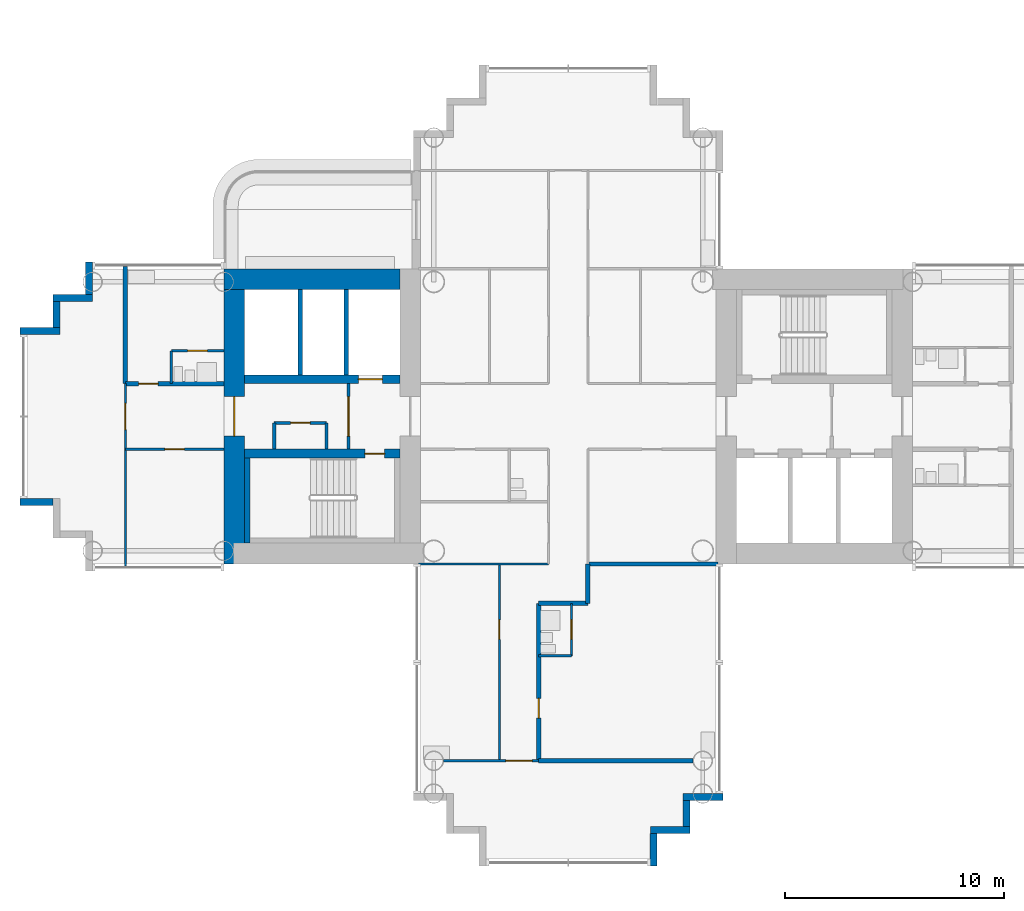
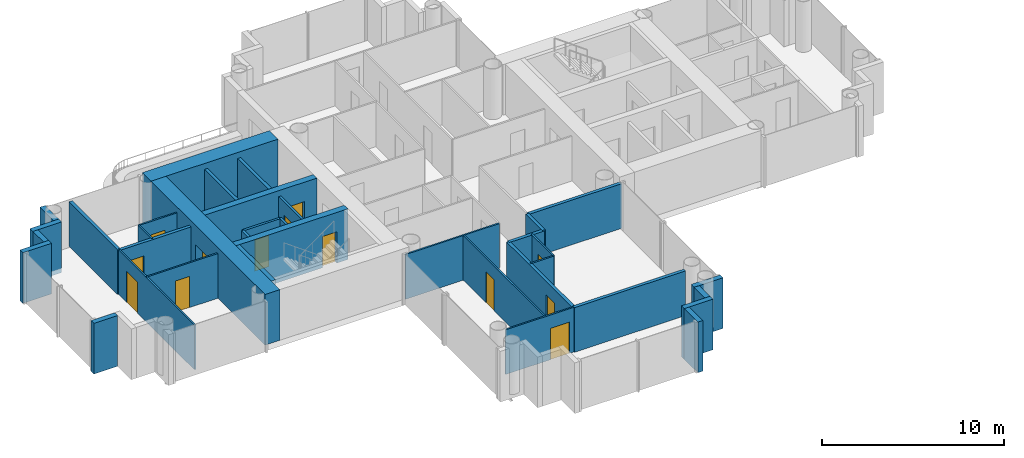
# One storey, part 9 of 21: 36 walls, 13 doors, 13 openings.
"""IFC4 building model written with IfcOpenShell, lengths in metres."""

import ifcopenshell
import ifcopenshell.guid

model = None  # the IFC model being written
_history = None  # IfcOwnerHistory: only IFC2X3 demands one
_inside = {}  # id of a spatial element -> (the spatial element, [elements in it])
_under = {}  # id of a project, library or spatial element -> (it, [spatial elements below it])
_declared = {}  # id of a project -> (the project, [libraries it declares])
_typed = {}  # id of a type object -> (the type object, [elements of that type])
_made_of = {}  # id of a material, layer set ... -> (it, [elements and type objects made of it])


def new_model(schema):
    """Start an empty IFC model of exactly this schema.

    Asked for "IFC4X3", IfcOpenShell would pick the latest addendum, in which some entities
    have other attributes; the version numbers below select the first issue.
    IFC2X3 requires an IfcOwnerHistory on every rooted entity: one is made here for all.
    """
    global model, _history
    if schema == "IFC4X3":
        model = ifcopenshell.file(schema_version=(4, 3, 0, 0))
    else:
        model = ifcopenshell.file(schema=schema)
    _inside.clear()
    _under.clear()
    _declared.clear()
    _typed.clear()
    _made_of.clear()
    _history = None
    if model.schema == "IFC2X3":
        org = make("IfcOrganization", Name="unknown")
        user = make(
            "IfcPersonAndOrganization",
            ThePerson=make("IfcPerson", FamilyName="unknown"),
            TheOrganization=org,
        )
        app = make(
            "IfcApplication",
            ApplicationDeveloper=org,
            Version="unknown",
            ApplicationFullName="unknown",
            ApplicationIdentifier="unknown",
        )
        _history = make(
            "IfcOwnerHistory",
            OwningUser=user,
            OwningApplication=app,
            ChangeAction="ADDED",
            CreationDate=0,
        )
    return model


def make(cls, **values):
    """One entity of the class cls with the attributes given. An attribute that is None is left unset."""
    return model.create_entity(
        cls, **{name: value for name, value in values.items() if value is not None}
    )


def rooted(cls, **values):
    """An entity with a GlobalId (a new one), such as an element, a storey or a relation."""
    return make(cls, GlobalId=ifcopenshell.guid.new(), OwnerHistory=_history, **values)


def si_unit(unit_type, name, prefix=None):
    """IfcSIUnit, for example si_unit("LENGTHUNIT", "METRE", prefix="MILLI")."""
    return make("IfcSIUnit", UnitType=unit_type, Prefix=prefix, Name=name)


def assignment(units):
    """IfcUnitAssignment: the units of a project."""
    return None if units is None else make("IfcUnitAssignment", Units=units)


def point(xyz):
    """IfcCartesianPoint."""
    return None if xyz is None else make("IfcCartesianPoint", Coordinates=xyz)


def direction(xyz):
    """IfcDirection."""
    return None if xyz is None else make("IfcDirection", DirectionRatios=xyz)


def frame(location, z_axis=None, x_axis=None):
    """IfcAxis2Placement3D, a coordinate frame: its origin and axes. An axis left out is left unset."""
    return make(
        "IfcAxis2Placement3D",
        Location=point(location),
        Axis=direction(z_axis),
        RefDirection=direction(x_axis),
    )


def frame_2d(location, x_axis=None):
    """IfcAxis2Placement2D, a coordinate frame in the plane: its origin and x axis."""
    return make(
        "IfcAxis2Placement2D", Location=point(location), RefDirection=direction(x_axis)
    )


def origin():
    """The frame at (0, 0, 0) with its axes left unset."""
    return frame((0.0, 0.0, 0.0))


def place(relative_to, where):
    """IfcLocalPlacement: puts the frame where relative to a parent placement (None: the world)."""
    return make(
        "IfcLocalPlacement", PlacementRelTo=relative_to, RelativePlacement=where
    )


def context(
    kind, dimensions, precision=None, world=None, true_north=None, identifier=None
):
    """IfcGeometricRepresentationContext, for example the 3D "Model" context."""
    return make(
        "IfcGeometricRepresentationContext",
        ContextIdentifier=identifier,
        ContextType=kind,
        CoordinateSpaceDimension=dimensions,
        Precision=precision,
        WorldCoordinateSystem=world,
        TrueNorth=true_north,
    )


def subcontext(parent, identifier, kind, view, scale=None):
    """IfcGeometricRepresentationSubContext, for example "Body" below "Model"."""
    return make(
        "IfcGeometricRepresentationSubContext",
        ContextIdentifier=identifier,
        ContextType=kind,
        ParentContext=parent,
        TargetScale=scale,
        TargetView=view,
    )


def project(units=None, contexts=None):
    """IfcProject with its units and contexts."""
    return rooted(
        "IfcProject",
        Name="project",
        RepresentationContexts=contexts,
        UnitsInContext=assignment(units),
    )


def spatial(cls, under=None, at=None, **own):
    """A site, building, storey or space (cls), placed at a placement, below another one or the project."""
    s = rooted(cls, ObjectPlacement=at, **own)
    if under is not None:
        _under.setdefault(under.id(), (under, []))[1].append(s)
    return s


def profile(cls, at=None, kind="AREA", **sizes):
    """A parametric profile (cls). Its sizes go by their IFC names, for example OverallWidth=200.0."""
    return make(cls, ProfileType=kind, Position=at, **sizes)


def rectangle(**sizes):
    """IfcRectangleProfileDef."""
    return profile("IfcRectangleProfileDef", **sizes)


def extrude(swept, where, along, depth):
    """IfcExtrudedAreaSolid: the profile swept, set in the frame where, extruded along a direction by depth."""
    return make(
        "IfcExtrudedAreaSolid",
        SweptArea=swept,
        Position=where,
        ExtrudedDirection=direction(along),
        Depth=depth,
    )


def shape(context_of_items, identifier, shape_type, items):
    """IfcShapeRepresentation: the items that make up one representation, for example the "Body"."""
    return make(
        "IfcShapeRepresentation",
        ContextOfItems=context_of_items,
        RepresentationIdentifier=identifier,
        RepresentationType=shape_type,
        Items=items,
    )


def material(Name=None, Category=None):
    """IfcMaterial."""
    return make("IfcMaterial", Name=Name, Category=Category)


def layer(
    of_material, thickness, ventilated=None, Name=None, Category=None, Priority=None
):
    """IfcMaterialLayer: one layer of a wall or slab, of a material (None: an air gap)."""
    return make(
        "IfcMaterialLayer",
        Material=of_material,
        LayerThickness=thickness,
        IsVentilated=ventilated,
        Name=Name,
        Category=Category,
        Priority=Priority,
    )


def layer_set(layers, Name=None):
    """IfcMaterialLayerSet."""
    return make("IfcMaterialLayerSet", MaterialLayers=layers, LayerSetName=Name)


def made_of(thing, what):
    """Note that an element or type object is made of a material, layer set ...; save() writes the relation."""
    if what is not None:
        _made_of.setdefault(what.id(), (what, []))[1].append(thing)
    return thing


def type_object(cls, material=None, **own):
    """A type object (cls), such as IfcWallType, which elements share."""
    return made_of(rooted(cls, **own), material)


def element(
    cls,
    number,
    at=None,
    inside=None,
    cuts=None,
    type_object=None,
    material=None,
    context=None,
    identifier="Body",
    shape_type=None,
    held_by="IfcProductDefinitionShape",
    body=None,
    shapes=None,
    **own,
):
    """One element of the class cls, such as IfcWall. Its Tag is "e" and its number.

    at: its placement. inside: the storey or other place that contains it. cuts: it is an
    opening in that element (IfcRelVoidsElement). A single representation is given by context,
    identifier, shape_type and body (its items); several are given by shapes. held_by: the class
    of the entity that holds the representations. save() writes the other relations.
    """
    e = rooted(cls, Tag="e%d" % number, ObjectPlacement=at, **own)
    if body is not None:
        shapes = [shape(context, identifier, shape_type, body)]
    if shapes is not None:
        e.Representation = make(held_by, Representations=shapes)
    if inside is not None:
        _inside.setdefault(inside.id(), (inside, []))[1].append(e)
    if cuts is not None:
        rooted(
            "IfcRelVoidsElement", RelatingBuildingElement=cuts, RelatedOpeningElement=e
        )
    if type_object is not None:
        _typed.setdefault(type_object.id(), (type_object, []))[1].append(e)
    return made_of(e, material)


def fill(opening, filler):
    """IfcRelFillsElement: the door or window that sits in an opening."""
    return rooted(
        "IfcRelFillsElement",
        RelatingOpeningElement=opening,
        RelatedBuildingElement=filler,
    )


def aggregate(whole, parts):
    """IfcRelAggregates: a whole, such as a stair, and the parts it consists of."""
    return rooted("IfcRelAggregates", RelatingObject=whole, RelatedObjects=parts)


def save(model, path):
    """Write the relations noted so far, then the file.

    IfcRelAggregates (storeys below a building ...), IfcRelContainedInSpatialStructure (elements
    in a storey), IfcRelDefinesByType, IfcRelAssociatesMaterial and IfcRelDeclares: one each for
    every whole, place, type object, material and project.
    """
    for whole, parts in _under.values():
        aggregate(whole, parts)
    for where, things in _inside.values():
        rooted(
            "IfcRelContainedInSpatialStructure",
            RelatedElements=things,
            RelatingStructure=where,
        )
    for kind, things in _typed.values():
        rooted("IfcRelDefinesByType", RelatedObjects=things, RelatingType=kind)
    for what, things in _made_of.values():
        rooted("IfcRelAssociatesMaterial", RelatedObjects=things, RelatingMaterial=what)
    for by, libraries in _declared.values():
        rooted("IfcRelDeclares", RelatingContext=by, RelatedDefinitions=libraries)
    model.write(path)


model = new_model("IFC4")

# Units and contexts
model_context = context("Model", 3, precision=1e-05, world=origin(), true_north=direction((0.0, 1.0)))
body_context = subcontext(model_context, "Body", "Model", "MODEL_VIEW")
ifc_project = project(units=[si_unit("LENGTHUNIT", "METRE"), si_unit("AREAUNIT", "SQUARE_METRE"), si_unit("VOLUMEUNIT", "CUBIC_METRE"), si_unit("PLANEANGLEUNIT", "RADIAN"), si_unit("MASSUNIT", "GRAM", prefix="KILO")], contexts=[model_context])

# Site, building, storey
site_placement = place(None, origin())
site = spatial("IfcSite", under=ifc_project, at=site_placement, CompositionType="ELEMENT")
building_placement = place(site_placement, origin())
building = spatial("IfcBuilding", under=site, at=building_placement, Name="Ipe Terrace Towers", CompositionType="ELEMENT")
storey_placement = place(building_placement, frame((0.0, 0.0, 117.39990234375)))
storey = spatial("IfcBuildingStorey", under=building, at=storey_placement, Name="L32", CompositionType="ELEMENT", Elevation=117.39990234375)

# Walls
ifc_material_1 = material(Name="Concrete C40/50 with buff precast cladding", Category="concrete")
ifc_layer_1 = layer(ifc_material_1, 0.320068359375)
ifc_layer_set_1 = layer_set([ifc_layer_1], Name="BUFF CLADDING WALL 320")
wall_type_1 = type_object("IfcWallType", Name="BUFF CLADDING WALL 320", PredefinedType="STANDARD", material=ifc_layer_set_1)
for number, where, z_axis, x_axis, name in (
    (1, (-61.070068359375, -3.909912109375, -0.2998046875), (0.0, 0.0, 1.0), (1.0, 0.0, 0.0), "T1-W-L32-00a wall"),
    (2, (-32.090087890625, -20.570068359375, -0.2998046875), (0.0, 0.0, 1.0), (0.0, 1.0, 0.0), "T1-W-L32-13a wall"),
):
    element("IfcWall", number, at=place(storey_placement, frame(where, z_axis=z_axis, x_axis=x_axis)), inside=storey, type_object=wall_type_1, Name=name, PredefinedType="STANDARD", context=body_context, shape_type="SweptSolid", body=[
        extrude(rectangle(XDim=1.5, YDim=0.320068359375, at=frame_2d((0.75, 0.0))), origin(), (0.0, 0.0, 1.0), 3.39990234375),
    ])
wall_1_placement = place(storey_placement, frame((-32.25, -18.909912109375, -0.2998046875), z_axis=(0.0, 0.0, 1.0), x_axis=(1.0, 0.0, 0.0)))
element("IfcWall", 3, at=wall_1_placement, inside=storey, type_object=wall_type_1, Name="T1-W-L32-14a wall", PredefinedType="STANDARD", context=body_context, shape_type="SweptSolid", body=[
    extrude(rectangle(XDim=1.820068359375, YDim=0.320068359375, at=frame_2d((0.91015625, 0.0))), origin(), (0.0, 0.0, 1.0), 3.39990234375),
])
wall_2_placement = place(storey_placement, frame((-30.590087890625, -18.75, -0.2998046875), z_axis=(0.0, 0.0, 1.0), x_axis=(0.0, 1.0, 0.0)))
element("IfcWall", 4, at=wall_2_placement, inside=storey, type_object=wall_type_1, Name="T1-W-L32-15a wall", PredefinedType="STANDARD", context=body_context, shape_type="SweptSolid", body=[
    extrude(rectangle(XDim=1.179931640625, YDim=0.320068359375, at=frame_2d((0.58984375, 0.0))), origin(), (0.0, 0.0, 1.0), 3.39990234375),
])
wall_3_placement = place(storey_placement, frame((-30.75, -17.409912109375, -0.2998046875), z_axis=(0.0, 0.0, 1.0), x_axis=(1.0, 0.0, 0.0)))
element("IfcWall", 5, at=wall_3_placement, inside=storey, type_object=wall_type_1, Name="T1-W-L32-16a wall", PredefinedType="STANDARD", context=body_context, shape_type="SweptSolid", body=[
    extrude(rectangle(XDim=1.820068359375, YDim=0.320068359375, at=frame_2d((0.91015625, 0.0))), origin(), (0.0, 0.0, 1.0), 3.39990234375),
])
wall_4_placement = place(storey_placement, frame((-57.909912109375, 7.070068359375, -0.2998046875), z_axis=(0.0, 0.0, 1.0), x_axis=(0.0, -1.0, 0.0)))
element("IfcWall", 6, at=wall_4_placement, inside=storey, type_object=wall_type_1, Name="T1-W-L32-47a wall", PredefinedType="STANDARD", context=body_context, shape_type="SweptSolid", body=[
    extrude(rectangle(XDim=1.5, YDim=0.320068359375, at=frame_2d((0.75, 0.0))), origin(), (0.0, 0.0, 1.0), 3.39990234375),
])
wall_5_placement = place(storey_placement, frame((-57.75, 5.409912109375, -0.2998046875), z_axis=(0.0, 0.0, 1.0), x_axis=(-1.0, 0.0, 0.0)))
element("IfcWall", 7, at=wall_5_placement, inside=storey, type_object=wall_type_1, Name="T1-W-L32-48a wall", PredefinedType="STANDARD", context=body_context, shape_type="SweptSolid", body=[
    extrude(rectangle(XDim=1.820068359375, YDim=0.320068359375, at=frame_2d((0.91015625, 0.0))), origin(), (0.0, 0.0, 1.0), 3.39990234375),
])
wall_6_placement = place(storey_placement, frame((-59.409912109375, 5.25, -0.2998046875), z_axis=(0.0, 0.0, 1.0), x_axis=(0.0, -1.0, 0.0)))
element("IfcWall", 8, at=wall_6_placement, inside=storey, type_object=wall_type_1, Name="T1-W-L32-49a wall", PredefinedType="STANDARD", context=body_context, shape_type="SweptSolid", body=[
    extrude(rectangle(XDim=1.179931640625, YDim=0.320068359375, at=frame_2d((0.58984375, 0.0))), origin(), (0.0, 0.0, 1.0), 3.39990234375),
])
wall_7_placement = place(storey_placement, frame((-59.25, 3.909912109375, -0.2998046875), z_axis=(0.0, 0.0, 1.0), x_axis=(-1.0, 0.0, 0.0)))
element("IfcWall", 9, at=wall_7_placement, inside=storey, type_object=wall_type_1, Name="T1-W-L32-50a wall", PredefinedType="STANDARD", context=body_context, shape_type="SweptSolid", body=[
    extrude(rectangle(XDim=1.820068359375, YDim=0.320068359375, at=frame_2d((0.91015625, 0.0))), origin(), (0.0, 0.0, 1.0), 3.39990234375),
])

# Wall, opening, door
ifc_material_2 = material(Name="Gypsum board partition", Category="plasterboard")
ifc_layer_2 = layer(ifc_material_2, 0.10009765625)
ifc_layer_set_2 = layer_set([ifc_layer_2], Name="Gypsum board partition 100 mm")
wall_type_2 = type_object("IfcWallType", Name="Gypsum board partition 100 mm", PredefinedType="PARTITIONING", material=ifc_layer_set_2)
wall_8_placement = place(storey_placement, frame((-56.25, -6.85009765625, 0.0), z_axis=(0.0, 0.0, 1.0), x_axis=(0.0, 1.0, 0.0)))
wall_8 = element("IfcWall", 10, at=wall_8_placement, inside=storey, type_object=wall_type_2, Name="Gypsum board partition T1 L32 W01", PredefinedType="PARTITIONING", context=body_context, shape_type="SweptSolid", body=[
    extrude(rectangle(XDim=8.35009765625, YDim=0.10009765625, at=frame_2d((4.175048828125, 0.0))), origin(), (0.0, 0.0, 1.0), 3.0),
])
opening_1_placement = place(wall_8_placement, frame((6.25, 0.0, 0.0)))
opening_1 = element("IfcOpeningElement", 11, at=opening_1_placement, cuts=wall_8, Name="Opening T1-Z2A-26", PredefinedType="OPENING", context=body_context, shape_type="SweptSolid", body=[
    extrude(rectangle(XDim=1.199951171875, YDim=2.10009765625, at=frame_2d((0.60009765625, 1.050048828125))), frame((0.0, 0.06005859375, 0.0), z_axis=(0.0, -1.0, 0.0), x_axis=(1.0, 0.0, 0.0)), (0.0, 0.0, 1.0), 0.1201171875),
])
ifc_material_3 = material(Name="Timber door leaf", Category="wood")
door_type_1 = type_object("IfcDoorType", Name="Lounge door 1200 x 2100", OperationType="NOTDEFINED", PredefinedType="DOOR", material=ifc_material_3)
door_1_placement = place(opening_1_placement, origin())
door_1 = element("IfcDoor", 12, at=door_1_placement, inside=storey, type_object=door_type_1, Name="Lounge door T1-Z2A-26", OperationType="SINGLE_SWING_LEFT", OverallHeight=2.10009765625, OverallWidth=1.199951171875, PredefinedType="DOOR", context=body_context, shape_type="SweptSolid", body=[
    extrude(rectangle(XDim=1.199951171875, YDim=2.10009765625, at=frame_2d((0.60009765625, 1.050048828125))), frame((0.0, 0.02490234375, 0.0), z_axis=(0.0, -1.0, 0.0), x_axis=(1.0, 0.0, 0.0)), (0.0, 0.0, 1.0), 0.050048828125),
])
fill(opening_1, door_1)

# Wall
wall_9_placement = place(storey_placement, frame((-54.14990234375, 1.5, 0.0), z_axis=(0.0, 0.0, 1.0), x_axis=(0.0, 1.0, 0.0)))
element("IfcWall", 13, at=wall_9_placement, inside=storey, type_object=wall_type_2, Name="Gypsum board partition T1 L32 W03", PredefinedType="PARTITIONING", context=body_context, shape_type="SweptSolid", body=[
    extrude(rectangle(XDim=1.5, YDim=0.10009765625, at=frame_2d((0.75, 0.0))), origin(), (0.0, 0.0, 1.0), 3.0),
])

# Wall, opening, door
wall_10_placement = place(storey_placement, frame((-39.14990234375, -15.75, 0.0), z_axis=(0.0, 0.0, 1.0), x_axis=(0.0, 1.0, 0.0)))
wall_10 = element("IfcWall", 14, at=wall_10_placement, inside=storey, type_object=wall_type_2, Name="Gypsum board partition T1 L32 W05", PredefinedType="PARTITIONING", context=body_context, shape_type="SweptSolid", body=[
    extrude(rectangle(XDim=9.0, YDim=0.10009765625, at=frame_2d((4.5, 0.0))), origin(), (0.0, 0.0, 1.0), 3.0),
])
opening_2_placement = place(wall_10_placement, frame((5.550048828125, 0.0, 0.0)))
opening_2 = element("IfcOpeningElement", 15, at=opening_2_placement, cuts=wall_10, Name="Opening T1-Z2A-14", PredefinedType="OPENING", context=body_context, shape_type="SweptSolid", body=[
    extrude(rectangle(XDim=0.89990234375, YDim=2.10009765625, at=frame_2d((0.449951171875, 1.050048828125))), frame((0.0, 0.06005859375, 0.0), z_axis=(0.0, -1.0, 0.0), x_axis=(1.0, 0.0, 0.0)), (0.0, 0.0, 1.0), 0.1201171875),
])
ifc_material_4 = material(Name="Timber door leaf", Category="wood")
door_type_2 = type_object("IfcDoorType", Name="Lounge door 900 x 2100", OperationType="NOTDEFINED", PredefinedType="DOOR", material=ifc_material_4)
door_2_placement = place(opening_2_placement, origin())
door_2 = element("IfcDoor", 16, at=door_2_placement, inside=storey, type_object=door_type_2, Name="Lounge door T1-Z2A-14", OperationType="SINGLE_SWING_LEFT", OverallHeight=2.10009765625, OverallWidth=0.89990234375, PredefinedType="DOOR", context=body_context, shape_type="SweptSolid", body=[
    extrude(rectangle(XDim=0.89990234375, YDim=2.10009765625, at=frame_2d((0.449951171875, 1.050048828125))), frame((0.0, 0.02490234375, 0.0), z_axis=(0.0, -1.0, 0.0), x_axis=(1.0, 0.0, 0.0)), (0.0, 0.0, 1.0), 0.050048828125),
])
fill(opening_2, door_2)

wall_11_placement = place(storey_placement, frame((-35.85009765625, -10.949951171875, 0.0), z_axis=(0.0, 0.0, 1.0), x_axis=(0.0, 1.0, 0.0)))
wall_11 = element("IfcWall", 17, at=wall_11_placement, inside=storey, type_object=wall_type_2, Name="Gypsum board partition T1 L32 W10", PredefinedType="PARTITIONING", context=body_context, shape_type="SweptSolid", body=[
    extrude(rectangle(XDim=2.39990234375, YDim=0.10009765625, at=frame_2d((1.199951171875, 0.0))), origin(), (0.0, 0.0, 1.0), 3.0),
])
opening_3_placement = place(wall_11_placement, frame((0.75, 0.0, 0.0)))
opening_3 = element("IfcOpeningElement", 18, at=opening_3_placement, cuts=wall_11, Name="Opening T1-Z2A-13", PredefinedType="OPENING", context=body_context, shape_type="SweptSolid", body=[
    extrude(rectangle(XDim=0.89990234375, YDim=2.10009765625, at=frame_2d((0.449951171875, 1.050048828125))), frame((0.0, 0.06005859375, 0.0), z_axis=(0.0, -1.0, 0.0), x_axis=(1.0, 0.0, 0.0)), (0.0, 0.0, 1.0), 0.1201171875),
])
ifc_material_5 = material(Name="Timber door leaf", Category="wood")
door_type_3 = type_object("IfcDoorType", Name="Bathroom door 900 x 2100", OperationType="NOTDEFINED", PredefinedType="DOOR", material=ifc_material_5)
door_3_placement = place(opening_3_placement, origin())
door_3 = element("IfcDoor", 19, at=door_3_placement, inside=storey, type_object=door_type_3, Name="Bathroom door T1-Z2A-13", OperationType="SINGLE_SWING_LEFT", OverallHeight=2.10009765625, OverallWidth=0.89990234375, PredefinedType="DOOR", context=body_context, shape_type="SweptSolid", body=[
    extrude(rectangle(XDim=0.89990234375, YDim=2.10009765625, at=frame_2d((0.449951171875, 1.050048828125))), frame((0.0, 0.02490234375, 0.0), z_axis=(0.0, -1.0, 0.0), x_axis=(1.0, 0.0, 0.0)), (0.0, 0.0, 1.0), 0.050048828125),
])
fill(opening_3, door_3)

wall_12_placement = place(storey_placement, frame((-41.699951171875, -15.75, 0.0), z_axis=(0.0, 0.0, 1.0), x_axis=(1.0, 0.0, 0.0)))
wall_12 = element("IfcWall", 20, at=wall_12_placement, inside=storey, type_object=wall_type_2, Name="Gypsum board partition T1 L32 W20", PredefinedType="PARTITIONING", context=body_context, shape_type="SweptSolid", body=[
    extrude(rectangle(XDim=4.349853515625, YDim=0.10009765625, at=frame_2d((2.1748046875, 0.0))), origin(), (0.0, 0.0, 1.0), 3.0),
])
opening_4_placement = place(wall_12_placement, frame((2.85009765625, 0.0, 0.0)))
opening_4 = element("IfcOpeningElement", 21, at=opening_4_placement, cuts=wall_12, Name="Opening T1-Z2A-15", PredefinedType="OPENING", context=body_context, shape_type="SweptSolid", body=[
    extrude(rectangle(XDim=1.199951171875, YDim=2.10009765625, at=frame_2d((0.60009765625, 1.050048828125))), frame((0.0, 0.06005859375, 0.0), z_axis=(0.0, -1.0, 0.0), x_axis=(1.0, 0.0, 0.0)), (0.0, 0.0, 1.0), 0.1201171875),
])
door_4_placement = place(opening_4_placement, origin())
door_4 = element("IfcDoor", 22, at=door_4_placement, inside=storey, type_object=door_type_1, Name="Lounge door T1-Z2A-15", OperationType="SINGLE_SWING_RIGHT", OverallHeight=2.10009765625, OverallWidth=1.199951171875, PredefinedType="DOOR", context=body_context, shape_type="SweptSolid", body=[
    extrude(rectangle(XDim=1.199951171875, YDim=2.10009765625, at=frame_2d((0.60009765625, 1.050048828125))), frame((0.0, 0.02490234375, 0.0), z_axis=(0.0, -1.0, 0.0), x_axis=(1.0, 0.0, 0.0)), (0.0, 0.0, 1.0), 0.050048828125),
])
fill(opening_4, door_4)

# Walls
wall_13_placement = place(storey_placement, frame((-37.35009765625, -10.949951171875, 0.0), z_axis=(0.0, 0.0, 1.0), x_axis=(1.0, 0.0, 0.0)))
element("IfcWall", 23, at=wall_13_placement, inside=storey, type_object=wall_type_2, Name="Gypsum board partition T1 L32 W22", PredefinedType="PARTITIONING", context=body_context, shape_type="SweptSolid", body=[
    extrude(rectangle(XDim=1.5, YDim=0.10009765625, at=frame_2d((0.75, 0.0))), origin(), (0.0, 0.0, 1.0), 3.0),
])
wall_14_placement = place(storey_placement, frame((-42.85009765625, -6.75, 0.0), z_axis=(0.0, 0.0, 1.0), x_axis=(1.0, 0.0, 0.0)))
element("IfcWall", 24, at=wall_14_placement, inside=storey, type_object=wall_type_2, Name="Gypsum board partition T1 L32 W24", PredefinedType="PARTITIONING", context=body_context, shape_type="SweptSolid", body=[
    extrude(rectangle(XDim=5.9501953125, YDim=0.10009765625, at=frame_2d((2.97509765625, 0.0))), origin(), (0.0, 0.0, 1.0), 3.0),
])

# Wall, opening, door
wall_15_placement = place(storey_placement, frame((-56.25, -1.5, 0.0), z_axis=(0.0, 0.0, 1.0), x_axis=(1.0, 0.0, 0.0)))
wall_15 = element("IfcWall", 25, at=wall_15_placement, inside=storey, type_object=wall_type_2, Name="Gypsum board partition T1 L32 W28", PredefinedType="PARTITIONING", context=body_context, shape_type="SweptSolid", body=[
    extrude(rectangle(XDim=4.5, YDim=0.10009765625, at=frame_2d((2.25, 0.0))), origin(), (0.0, 0.0, 1.0), 3.0),
])
opening_5_placement = place(wall_15_placement, frame((1.800048828125, 0.0, 0.0)))
opening_5 = element("IfcOpeningElement", 26, at=opening_5_placement, cuts=wall_15, Name="Opening T1-Z2A-23", PredefinedType="OPENING", context=body_context, shape_type="SweptSolid", body=[
    extrude(rectangle(XDim=0.89990234375, YDim=2.10009765625, at=frame_2d((0.449951171875, 1.050048828125))), frame((0.0, 0.06005859375, 0.0), z_axis=(0.0, -1.0, 0.0), x_axis=(1.0, 0.0, 0.0)), (0.0, 0.0, 1.0), 0.1201171875),
])
door_5_placement = place(opening_5_placement, origin())
door_5 = element("IfcDoor", 27, at=door_5_placement, inside=storey, type_object=door_type_2, Name="Lounge door T1-Z2A-23", OperationType="SINGLE_SWING_RIGHT", OverallHeight=2.10009765625, OverallWidth=0.89990234375, PredefinedType="DOOR", context=body_context, shape_type="SweptSolid", body=[
    extrude(rectangle(XDim=0.89990234375, YDim=2.10009765625, at=frame_2d((0.449951171875, 1.050048828125))), frame((0.0, 0.02490234375, 0.0), z_axis=(0.0, -1.0, 0.0), x_axis=(1.0, 0.0, 0.0)), (0.0, 0.0, 1.0), 0.050048828125),
])
fill(opening_5, door_5)

wall_16_placement = place(storey_placement, frame((-54.14990234375, 3.0, 0.0), z_axis=(0.0, 0.0, 1.0), x_axis=(1.0, 0.0, 0.0)))
wall_16 = element("IfcWall", 28, at=wall_16_placement, inside=storey, type_object=wall_type_2, Name="Gypsum board partition T1 L32 W36", PredefinedType="PARTITIONING", context=body_context, shape_type="SweptSolid", body=[
    extrude(rectangle(XDim=2.39990234375, YDim=0.10009765625, at=frame_2d((1.199951171875, 0.0))), origin(), (0.0, 0.0, 1.0), 3.0),
])
opening_6_placement = place(wall_16_placement, frame((0.75, 0.0, 0.0)))
opening_6 = element("IfcOpeningElement", 29, at=opening_6_placement, cuts=wall_16, Name="Opening T1-Z2A-25", PredefinedType="OPENING", context=body_context, shape_type="SweptSolid", body=[
    extrude(rectangle(XDim=0.89990234375, YDim=2.10009765625, at=frame_2d((0.449951171875, 1.050048828125))), frame((0.0, 0.06005859375, 0.0), z_axis=(0.0, -1.0, 0.0), x_axis=(1.0, 0.0, 0.0)), (0.0, 0.0, 1.0), 0.1201171875),
])
door_6_placement = place(opening_6_placement, origin())
door_6 = element("IfcDoor", 30, at=door_6_placement, inside=storey, type_object=door_type_3, Name="Bathroom door T1-Z2A-25", OperationType="SINGLE_SWING_RIGHT", OverallHeight=2.10009765625, OverallWidth=0.89990234375, PredefinedType="DOOR", context=body_context, shape_type="SweptSolid", body=[
    extrude(rectangle(XDim=0.89990234375, YDim=2.10009765625, at=frame_2d((0.449951171875, 1.050048828125))), frame((0.0, 0.02490234375, 0.0), z_axis=(0.0, -1.0, 0.0), x_axis=(1.0, 0.0, 0.0)), (0.0, 0.0, 1.0), 0.050048828125),
])
fill(opening_6, door_6)

ifc_material_6 = material(Name="Gypsum board partition", Category="plasterboard")
ifc_layer_3 = layer(ifc_material_6, 0.14990234375)
ifc_layer_set_3 = layer_set([ifc_layer_3], Name="Gypsum board partition 150 mm")
wall_type_3 = type_object("IfcWallType", Name="Gypsum board partition 150 mm", PredefinedType="PARTITIONING", material=ifc_layer_set_3)
wall_17_placement = place(storey_placement, frame((-46.050048828125, 1.5, 0.0), z_axis=(0.0, 0.0, 1.0), x_axis=(0.0, -1.0, 0.0)))
wall_17 = element("IfcWall", 31, at=wall_17_placement, inside=storey, type_object=wall_type_3, Name="Gypsum board partition T1 L32 t1c2-lobby-wall", PredefinedType="PARTITIONING", context=body_context, shape_type="SweptSolid", body=[
    extrude(rectangle(XDim=3.0, YDim=0.14990234375, at=frame_2d((1.5, 0.0))), origin(), (0.0, 0.0, 1.0), 3.0),
])
opening_7_placement = place(wall_17_placement, frame((0.60009765625, 0.0, 0.0)))
opening_7 = element("IfcOpeningElement", 32, at=opening_7_placement, cuts=wall_17, Name="Opening T1C2-VD", PredefinedType="OPENING", context=body_context, shape_type="SweptSolid", body=[
    extrude(rectangle(XDim=1.800048828125, YDim=2.10009765625, at=frame_2d((0.89990234375, 1.050048828125))), frame((0.0, 0.0849609375, 0.0), z_axis=(0.0, -1.0, 0.0), x_axis=(1.0, 0.0, 0.0)), (0.0, 0.0, 1.0), 0.169921875),
])
ifc_material_7 = material(Name="Fire-rated timber door leaf", Category="wood")
door_type_4 = type_object("IfcDoorType", Name="Lobby door 1800 x 2100 FD60", OperationType="NOTDEFINED", PredefinedType="DOOR", material=ifc_material_7)
door_7_placement = place(opening_7_placement, origin())
door_7 = element("IfcDoor", 33, at=door_7_placement, inside=storey, type_object=door_type_4, Name="Lobby door T1C2-VD", OperationType="SINGLE_SWING_LEFT", OverallHeight=2.10009765625, OverallWidth=1.800048828125, PredefinedType="DOOR", context=body_context, shape_type="SweptSolid", body=[
    extrude(rectangle(XDim=1.800048828125, YDim=2.10009765625, at=frame_2d((0.89990234375, 1.050048828125))), frame((0.0, 0.02490234375, 0.0), z_axis=(0.0, -1.0, 0.0), x_axis=(1.0, 0.0, 0.0)), (0.0, 0.0, 1.0), 0.050048828125),
])
fill(opening_7, door_7)

wall_18_placement = place(storey_placement, frame((-47.050048828125, -0.300048828125, 0.0), z_axis=(0.0, 0.0, 1.0), x_axis=(-1.0, 0.0, 0.0)))
wall_18 = element("IfcWall", 34, at=wall_18_placement, inside=storey, type_object=wall_type_3, Name="Gypsum board partition T1 L32 t1c2-cup-n-f", PredefinedType="PARTITIONING", context=body_context, shape_type="SweptSolid", body=[
    extrude(rectangle(XDim=2.39990234375, YDim=0.14990234375, at=frame_2d((1.199951171875, 0.0))), origin(), (0.0, 0.0, 1.0), 3.0),
])
opening_8_placement = place(wall_18_placement, frame((0.75, 0.0, 0.0)))
opening_8 = element("IfcOpeningElement", 35, at=opening_8_placement, cuts=wall_18, Name="Opening T1C2-SR", PredefinedType="OPENING", context=body_context, shape_type="SweptSolid", body=[
    extrude(rectangle(XDim=0.89990234375, YDim=2.10009765625, at=frame_2d((0.449951171875, 1.050048828125))), frame((0.0, 0.0849609375, 0.0), z_axis=(0.0, -1.0, 0.0), x_axis=(1.0, 0.0, 0.0)), (0.0, 0.0, 1.0), 0.169921875),
])
ifc_material_8 = material(Name="Fire-rated timber door leaf", Category="wood")
door_type_5 = type_object("IfcDoorType", Name="Service door 900 x 2100 FD60", OperationType="NOTDEFINED", PredefinedType="DOOR", material=ifc_material_8)
door_8_placement = place(opening_8_placement, origin())
door_8 = element("IfcDoor", 36, at=door_8_placement, inside=storey, type_object=door_type_5, Name="Service door T1C2-SR", OperationType="SINGLE_SWING_LEFT", OverallHeight=2.10009765625, OverallWidth=0.89990234375, PredefinedType="DOOR", context=body_context, shape_type="SweptSolid", body=[
    extrude(rectangle(XDim=0.89990234375, YDim=2.10009765625, at=frame_2d((0.449951171875, 1.050048828125))), frame((0.0, 0.02490234375, 0.0), z_axis=(0.0, -1.0, 0.0), x_axis=(1.0, 0.0, 0.0)), (0.0, 0.0, 1.0), 0.050048828125),
])
fill(opening_8, door_8)

# Walls
for number, where, z_axis, x_axis, name in (
    (37, (-47.050048828125, -0.300048828125, 0.0), (0.0, 0.0, 1.0), (0.0, -1.0, 0.0), "Gypsum board partition T1 L32 t1c2-cup-n-a"),
    (38, (-49.449951171875, -0.300048828125, 0.0), (0.0, 0.0, 1.0), (0.0, -1.0, 0.0), "Gypsum board partition T1 L32 t1c2-cup-n-b"),
):
    element("IfcWall", number, at=place(storey_placement, frame(where, z_axis=z_axis, x_axis=x_axis)), inside=storey, type_object=wall_type_3, Name=name, PredefinedType="PARTITIONING", context=body_context, shape_type="SweptSolid", body=[
        extrude(rectangle(XDim=1.199951171875, YDim=0.14990234375, at=frame_2d((0.60009765625, 0.0))), origin(), (0.0, 0.0, 1.0), 3.0),
    ])
ifc_material_9 = material(Name="Gypsum board party wall", Category="plasterboard")
ifc_layer_4 = layer(ifc_material_9, 0.199951171875)
ifc_layer_set_4 = layer_set([ifc_layer_4], Name="Gypsum board party wall 200 mm")
wall_type_4 = type_object("IfcWallType", Name="Gypsum board party wall 200 mm", PredefinedType="SOLIDWALL", material=ifc_layer_set_4)
for number, where, z_axis, x_axis, name in (
    (39, (-46.14990234375, 5.800048828125, 0.0), (0.0, 0.0, 1.0), (0.0, -1.0, 0.0), "Gypsum board party wall T1 L32 t1c2-shaft-div1"),
    (40, (-48.25, 5.800048828125, 0.0), (0.0, 0.0, 1.0), (0.0, -1.0, 0.0), "Gypsum board party wall T1 L32 t1c2-shaft-div2"),
):
    element("IfcWall", number, at=place(storey_placement, frame(where, z_axis=z_axis, x_axis=x_axis)), inside=storey, type_object=wall_type_4, Name=name, PredefinedType="SOLIDWALL", context=body_context, shape_type="SweptSolid", body=[
        extrude(rectangle(XDim=3.900146484375, YDim=0.199951171875, at=frame_2d((1.9501953125, 0.0))), origin(), (0.0, 0.0, 1.0), 3.0),
    ])
wall_19_placement = place(storey_placement, frame((-56.25, 1.5, 0.0), z_axis=(0.0, 0.0, 1.0), x_axis=(0.0, 1.0, 0.0)))
element("IfcWall", 41, at=wall_19_placement, inside=storey, type_object=wall_type_4, Name="Gypsum board party wall T1 L32 W02", PredefinedType="SOLIDWALL", context=body_context, shape_type="SweptSolid", body=[
    extrude(rectangle(XDim=5.35009765625, YDim=0.199951171875, at=frame_2d((2.675048828125, 0.0))), origin(), (0.0, 0.0, 1.0), 3.0),
])

# Wall, opening, door
wall_20_placement = place(storey_placement, frame((-37.35009765625, -15.75, 0.0), z_axis=(0.0, 0.0, 1.0), x_axis=(0.0, 1.0, 0.0)))
wall_20 = element("IfcWall", 42, at=wall_20_placement, inside=storey, type_object=wall_type_4, Name="Gypsum board party wall T1 L32 W07", PredefinedType="SOLIDWALL", context=body_context, shape_type="SweptSolid", body=[
    extrude(rectangle(XDim=7.199951171875, YDim=0.199951171875, at=frame_2d((3.60009765625, 0.0))), origin(), (0.0, 0.0, 1.0), 3.0),
])
opening_9_placement = place(wall_20_placement, frame((1.949951171875, 0.0, 0.0)))
opening_9 = element("IfcOpeningElement", 43, at=opening_9_placement, cuts=wall_20, Name="Opening T1-Z2A-12", PredefinedType="OPENING", context=body_context, shape_type="SweptSolid", body=[
    extrude(rectangle(XDim=0.89990234375, YDim=2.10009765625, at=frame_2d((0.449951171875, 1.050048828125))), frame((0.0, 0.10986328125, 0.0), z_axis=(0.0, -1.0, 0.0), x_axis=(1.0, 0.0, 0.0)), (0.0, 0.0, 1.0), 0.219970703125),
])
ifc_material_10 = material(Name="Fire-rated timber door leaf", Category="wood")
door_type_6 = type_object("IfcDoorType", Name="Flat entrance door 900 x 2100 FD30S", OperationType="NOTDEFINED", PredefinedType="DOOR", material=ifc_material_10)
door_9_placement = place(opening_9_placement, origin())
door_9 = element("IfcDoor", 44, at=door_9_placement, inside=storey, type_object=door_type_6, Name="Flat entrance door T1-Z2A-12", OperationType="SINGLE_SWING_LEFT", OverallHeight=2.10009765625, OverallWidth=0.89990234375, PredefinedType="DOOR", context=body_context, shape_type="SweptSolid", body=[
    extrude(rectangle(XDim=0.89990234375, YDim=2.10009765625, at=frame_2d((0.449951171875, 1.050048828125))), frame((0.0, 0.02490234375, 0.0), z_axis=(0.0, -1.0, 0.0), x_axis=(1.0, 0.0, 0.0)), (0.0, 0.0, 1.0), 0.050048828125),
])
fill(opening_9, door_9)

# Walls
wall_21_placement = place(storey_placement, frame((-35.10009765625, -8.550048828125, 0.0), z_axis=(0.0, 0.0, 1.0), x_axis=(0.0, 1.0, 0.0)))
element("IfcWall", 45, at=wall_21_placement, inside=storey, type_object=wall_type_4, Name="Gypsum board party wall T1 L32 W13", PredefinedType="SOLIDWALL", context=body_context, shape_type="SweptSolid", body=[
    extrude(rectangle(XDim=1.800048828125, YDim=0.199951171875, at=frame_2d((0.89990234375, 0.0))), origin(), (0.0, 0.0, 1.0), 3.0),
])
wall_22_placement = place(storey_placement, frame((-37.35009765625, -15.75, 0.0), z_axis=(0.0, 0.0, 1.0), x_axis=(1.0, 0.0, 0.0)))
element("IfcWall", 46, at=wall_22_placement, inside=storey, type_object=wall_type_4, Name="Gypsum board party wall T1 L32 W21", PredefinedType="SOLIDWALL", context=body_context, shape_type="SweptSolid", body=[
    extrude(rectangle(XDim=7.050048828125, YDim=0.199951171875, at=frame_2d((3.52490234375, 0.0))), origin(), (0.0, 0.0, 1.0), 3.0),
])
wall_23_placement = place(storey_placement, frame((-37.35009765625, -8.550048828125, 0.0), z_axis=(0.0, 0.0, 1.0), x_axis=(1.0, 0.0, 0.0)))
element("IfcWall", 47, at=wall_23_placement, inside=storey, type_object=wall_type_4, Name="Gypsum board party wall T1 L32 W23", PredefinedType="SOLIDWALL", context=body_context, shape_type="SweptSolid", body=[
    extrude(rectangle(XDim=2.25, YDim=0.199951171875, at=frame_2d((1.125, 0.0))), origin(), (0.0, 0.0, 1.0), 3.0),
])
wall_24_placement = place(storey_placement, frame((-35.10009765625, -6.75, 0.0), z_axis=(0.0, 0.0, 1.0), x_axis=(1.0, 0.0, 0.0)))
element("IfcWall", 48, at=wall_24_placement, inside=storey, type_object=wall_type_4, Name="Gypsum board party wall T1 L32 W25", PredefinedType="SOLIDWALL", context=body_context, shape_type="SweptSolid", body=[
    extrude(rectangle(XDim=5.9501953125, YDim=0.199951171875, at=frame_2d((2.97509765625, 0.0))), origin(), (0.0, 0.0, 1.0), 3.0),
])

# Wall, opening, door
wall_25_placement = place(storey_placement, frame((-56.25, 1.5, 0.0), z_axis=(0.0, 0.0, 1.0), x_axis=(1.0, 0.0, 0.0)))
wall_25 = element("IfcWall", 49, at=wall_25_placement, inside=storey, type_object=wall_type_4, Name="Gypsum board party wall T1 L32 W34", PredefinedType="SOLIDWALL", context=body_context, shape_type="SweptSolid", body=[
    extrude(rectangle(XDim=4.5, YDim=0.199951171875, at=frame_2d((2.25, 0.0))), origin(), (0.0, 0.0, 1.0), 3.0),
])
opening_10_placement = place(wall_25_placement, frame((0.60009765625, 0.0, 0.0)))
opening_10 = element("IfcOpeningElement", 50, at=opening_10_placement, cuts=wall_25, Name="Opening T1-Z2A-24", PredefinedType="OPENING", context=body_context, shape_type="SweptSolid", body=[
    extrude(rectangle(XDim=0.89990234375, YDim=2.10009765625, at=frame_2d((0.449951171875, 1.050048828125))), frame((0.0, 0.10986328125, 0.0), z_axis=(0.0, -1.0, 0.0), x_axis=(1.0, 0.0, 0.0)), (0.0, 0.0, 1.0), 0.219970703125),
])
door_10_placement = place(opening_10_placement, origin())
door_10 = element("IfcDoor", 51, at=door_10_placement, inside=storey, type_object=door_type_6, Name="Flat entrance door T1-Z2A-24", OperationType="SINGLE_SWING_RIGHT", OverallHeight=2.10009765625, OverallWidth=0.89990234375, PredefinedType="DOOR", context=body_context, shape_type="SweptSolid", body=[
    extrude(rectangle(XDim=0.89990234375, YDim=2.10009765625, at=frame_2d((0.449951171875, 1.050048828125))), frame((0.0, 0.02490234375, 0.0), z_axis=(0.0, -1.0, 0.0), x_axis=(1.0, 0.0, 0.0)), (0.0, 0.0, 1.0), 0.050048828125),
])
fill(opening_10, door_10)

# Wall
ifc_material_11 = material(Name="Concrete C50/60", Category="concrete")
ifc_layer_5 = layer(ifc_material_11, 0.25)
ifc_layer_set_5 = layer_set([ifc_layer_5], Name="RW250 CORE INFILL WALL 250 C50-60")
wall_type_5 = type_object("IfcWallType", Name="RW250 CORE INFILL WALL 250 C50-60", PredefinedType="SHEAR", material=ifc_layer_set_5)
wall_26_placement = place(storey_placement, frame((-50.675048828125, -1.89990234375, 0.0), z_axis=(0.0, 0.0, 1.0), x_axis=(0.0, -1.0, 0.0)))
element("IfcWall", 52, at=wall_26_placement, inside=storey, type_object=wall_type_5, Name="Core infill wall T1-C2-far", PredefinedType="SHEAR", context=body_context, shape_type="SweptSolid", body=[
    extrude(rectangle(XDim=3.900146484375, YDim=0.25, at=frame_2d((1.9501953125, 0.0))), origin(), (0.0, 0.0, 1.0), 3.400146484375),
])

# Wall, opening, door
ifc_material_12 = material(Name="Concrete C50/60", Category="concrete")
ifc_layer_6 = layer(ifc_material_12, 0.39990234375)
ifc_layer_set_6 = layer_set([ifc_layer_6], Name="RW400 CORE SPINE WALL 400 C50-60")
wall_type_6 = type_object("IfcWallType", Name="RW400 CORE SPINE WALL 400 C50-60", PredefinedType="SHEAR", material=ifc_layer_set_6)
wall_27_placement = place(storey_placement, frame((-50.800048828125, -1.699951171875, 0.0), z_axis=(0.0, 0.0, 1.0), x_axis=(1.0, 0.0, 0.0)))
wall_27 = element("IfcWall", 53, at=wall_27_placement, inside=storey, type_object=wall_type_6, Name="Core spine wall T1-C2-Z2-SW1", PredefinedType="SHEAR", context=body_context, shape_type="SweptSolid", body=[
    extrude(rectangle(XDim=7.10009765625, YDim=0.39990234375, at=frame_2d((3.550048828125, 0.0))), origin(), (0.0, 0.0, 1.0), 3.400146484375),
])
opening_11_placement = place(wall_27_placement, frame((5.5, 0.0, 0.0)))
opening_11 = element("IfcOpeningElement", 54, at=opening_11_placement, cuts=wall_27, Name="Opening T1C2-SD", PredefinedType="OPENING", context=body_context, shape_type="SweptSolid", body=[
    extrude(rectangle(XDim=0.89990234375, YDim=2.10009765625, at=frame_2d((0.449951171875, 1.050048828125))), frame((0.0, 0.2099609375, 0.0), z_axis=(0.0, -1.0, 0.0), x_axis=(1.0, 0.0, 0.0)), (0.0, 0.0, 1.0), 0.419921875),
])
ifc_material_13 = material(Name="Fire-rated timber door leaf", Category="wood")
door_type_7 = type_object("IfcDoorType", Name="Stair door 900 x 2100 FD60", OperationType="NOTDEFINED", PredefinedType="DOOR", material=ifc_material_13)
door_11_placement = place(opening_11_placement, origin())
door_11 = element("IfcDoor", 55, at=door_11_placement, inside=storey, type_object=door_type_7, Name="Stair door T1C2-SD", OperationType="SINGLE_SWING_RIGHT", OverallHeight=2.10009765625, OverallWidth=0.89990234375, PredefinedType="DOOR", context=body_context, shape_type="SweptSolid", body=[
    extrude(rectangle(XDim=0.89990234375, YDim=2.10009765625, at=frame_2d((0.449951171875, 1.050048828125))), frame((0.0, 0.02490234375, 0.0), z_axis=(0.0, -1.0, 0.0), x_axis=(1.0, 0.0, 0.0)), (0.0, 0.0, 1.0), 0.050048828125),
])
fill(opening_11, door_11)

wall_28_placement = place(storey_placement, frame((-50.800048828125, 1.699951171875, 0.0), z_axis=(0.0, 0.0, 1.0), x_axis=(1.0, 0.0, 0.0)))
wall_28 = element("IfcWall", 56, at=wall_28_placement, inside=storey, type_object=wall_type_6, Name="Core spine wall T1-C2-Z2-SW2", PredefinedType="SHEAR", context=body_context, shape_type="SweptSolid", body=[
    extrude(rectangle(XDim=7.10009765625, YDim=0.39990234375, at=frame_2d((3.550048828125, 0.0))), origin(), (0.0, 0.0, 1.0), 3.400146484375),
])
opening_12_placement = place(wall_28_placement, frame((5.199951171875, 0.0, 0.0)))
opening_12 = element("IfcOpeningElement", 57, at=opening_12_placement, cuts=wall_28, Name="Opening T1C2-LD1", PredefinedType="OPENING", context=body_context, shape_type="SweptSolid", body=[
    extrude(rectangle(XDim=1.10009765625, YDim=2.10009765625, at=frame_2d((0.550048828125, 1.050048828125))), frame((0.0, 0.2099609375, 0.0), z_axis=(0.0, -1.0, 0.0), x_axis=(1.0, 0.0, 0.0)), (0.0, 0.0, 1.0), 0.419921875),
])
ifc_material_14 = material(Name="Fire-rated timber door leaf", Category="wood")
door_type_8 = type_object("IfcDoorType", Name="Sliding door 1100 x 2100 FD60", OperationType="SLIDING_TO_LEFT", PredefinedType="DOOR", material=ifc_material_14)
door_12_placement = place(opening_12_placement, origin())
door_12 = element("IfcDoor", 58, at=door_12_placement, inside=storey, type_object=door_type_8, Name="Sliding door T1C2-LD1", OperationType="SLIDING_TO_LEFT", OverallHeight=2.10009765625, OverallWidth=1.10009765625, PredefinedType="DOOR", context=body_context, shape_type="SweptSolid", body=[
    extrude(rectangle(XDim=1.10009765625, YDim=2.10009765625, at=frame_2d((0.550048828125, 1.050048828125))), frame((0.0, 0.02490234375, 0.0), z_axis=(0.0, -1.0, 0.0), x_axis=(1.0, 0.0, 0.0)), (0.0, 0.0, 1.0), 0.050048828125),
])
fill(opening_12, door_12)

# Wall
ifc_material_15 = material(Name="Concrete C50/60", Category="concrete")
ifc_layer_7 = layer(ifc_material_15, 0.949951171875)
ifc_layer_set_7 = layer_set([ifc_layer_7], Name="RW950 CORE WALL 950 C50-60")
wall_type_7 = type_object("IfcWallType", Name="RW950 CORE WALL 950 C50-60", PredefinedType="SHEAR", material=ifc_layer_set_7)
wall_29_placement = place(storey_placement, frame((-43.699951171875, 6.27490234375, 0.0), z_axis=(0.0, 0.0, 1.0), x_axis=(-1.0, 0.0, 0.0)))
element("IfcWall", 59, at=wall_29_placement, inside=storey, type_object=wall_type_7, Name="Core wall T1-C2-Z2-W03", PredefinedType="SHEAR", context=body_context, shape_type="SweptSolid", body=[
    extrude(rectangle(XDim=8.050048828125, YDim=0.949951171875, at=frame_2d((4.02490234375, 0.0))), origin(), (0.0, 0.0, 1.0), 3.400146484375),
])

# Wall, opening, door
wall_30_placement = place(storey_placement, frame((-51.27490234375, 5.800048828125, 0.0), z_axis=(0.0, 0.0, 1.0), x_axis=(0.0, -1.0, 0.0)))
wall_30 = element("IfcWall", 60, at=wall_30_placement, inside=storey, type_object=wall_type_7, Name="Core wall T1-C2-Z2-W04", PredefinedType="SHEAR", context=body_context, shape_type="SweptSolid", body=[
    extrude(rectangle(XDim=12.550048828125, YDim=0.949951171875, at=frame_2d((6.27490234375, 0.0))), origin(), (0.0, 0.0, 1.0), 3.400146484375),
])
opening_13_placement = place(wall_30_placement, frame((4.89990234375, 0.0, 0.0)))
opening_13 = element("IfcOpeningElement", 61, at=opening_13_placement, cuts=wall_30, Name="Opening T1C2-FD", PredefinedType="OPENING", context=body_context, shape_type="SweptSolid", body=[
    extrude(rectangle(XDim=1.800048828125, YDim=2.10009765625, at=frame_2d((0.89990234375, 1.050048828125))), frame((0.0, 0.48486328125, 0.0), z_axis=(0.0, -1.0, 0.0), x_axis=(1.0, 0.0, 0.0)), (0.0, 0.0, 1.0), 0.969970703125),
])
ifc_material_16 = material(Name="Fire-rated timber door leaf", Category="wood")
door_type_9 = type_object("IfcDoorType", Name="Fire door 1800 x 2100 FD30S", OperationType="NOTDEFINED", PredefinedType="DOOR", material=ifc_material_16)
door_13_placement = place(opening_13_placement, origin())
door_13 = element("IfcDoor", 62, at=door_13_placement, inside=storey, type_object=door_type_9, Name="Fire door T1C2-FD", OperationType="SINGLE_SWING_LEFT", OverallHeight=2.10009765625, OverallWidth=1.800048828125, PredefinedType="DOOR", context=body_context, shape_type="SweptSolid", body=[
    extrude(rectangle(XDim=1.800048828125, YDim=2.10009765625, at=frame_2d((0.89990234375, 1.050048828125))), frame((0.0, 0.02490234375, 0.0), z_axis=(0.0, -1.0, 0.0), x_axis=(1.0, 0.0, 0.0)), (0.0, 0.0, 1.0), 0.050048828125),
])
fill(opening_13, door_13)

save(model, "model.ifc")
